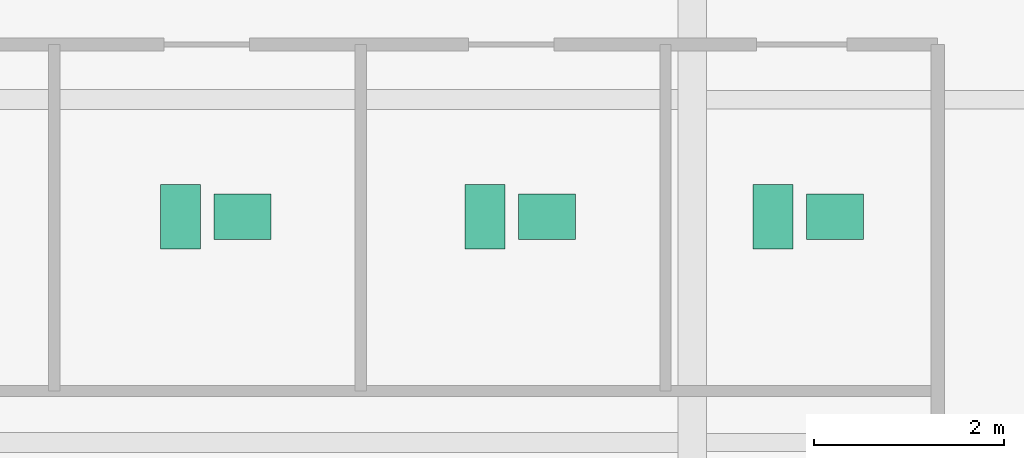
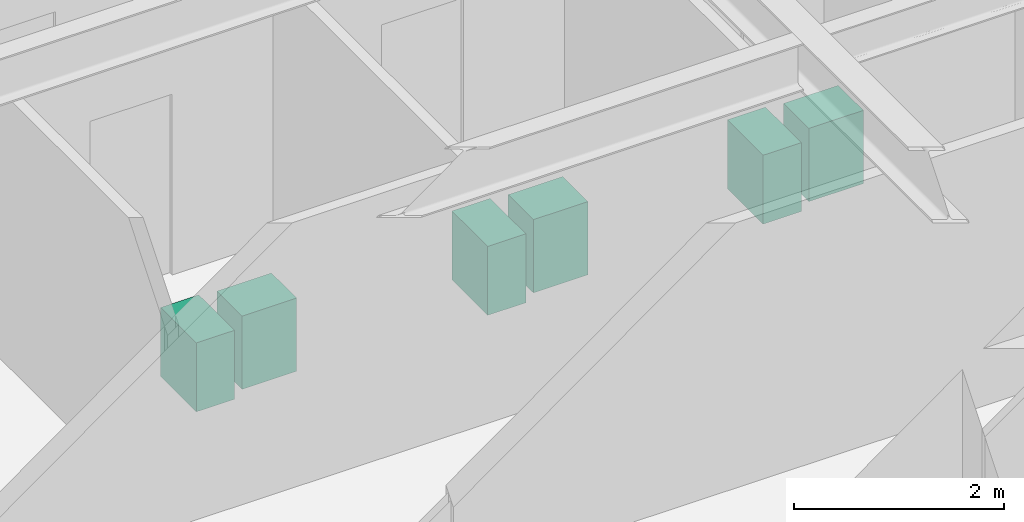
# One storey, part 30 of 30: 6 sanitary terminals.
"""IFC4 building model written with IfcOpenShell, lengths in metres."""

from ifc_helpers import new_model, si_unit, direction, frame, origin, origin_2d, place, context, subcontext, project, spatial, rectangle, extrude, source, transform, mapped, material, type_object, type_shapes, element, save


model = new_model("IFC4")

# Units and contexts
model_context = context("Model", 3, precision=1e-05, world=origin(), true_north=direction((0.0, 1.0)))
body_context = subcontext(model_context, "Body", "Model", "MODEL_VIEW")
ifc_project = project(units=[si_unit("LENGTHUNIT", "METRE"), si_unit("AREAUNIT", "SQUARE_METRE"), si_unit("VOLUMEUNIT", "CUBIC_METRE"), si_unit("PLANEANGLEUNIT", "RADIAN"), si_unit("MASSUNIT", "GRAM", prefix="KILO")], contexts=[model_context])

# Site, building, storey
site_placement = place(None, origin())
site = spatial("IfcSite", under=ifc_project, at=site_placement, CompositionType="ELEMENT")
building_placement = place(site_placement, origin())
building = spatial("IfcBuilding", under=site, at=building_placement, Name="Krantzveldt Concourse Tower", CompositionType="ELEMENT")
storey_placement = place(building_placement, frame((0.0, 0.0, 48.699951171875)))
storey = spatial("IfcBuildingStorey", under=building, at=storey_placement, Name="L11", CompositionType="ELEMENT", Elevation=48.699951171875)

# Sanitary terminals
ifc_material = material(Name="Vitreous china", Category="ceramic")
sanitary_terminal_type_1 = type_object("IfcSanitaryTerminalType", Name="SAN-WC-SUITE", PredefinedType="TOILETPAN", material=ifc_material)
shared_shape_1 = source(origin(), body_context, "Body", "SweptSolid", [
    extrude(rectangle(XDim=0.419921875, YDim=0.679931640625, at=origin_2d()), origin(), (0.0, 0.0, 1.0), 0.800048828125),
])
type_shapes(sanitary_terminal_type_1, [shared_shape_1])
for number, where, z_axis, x_axis, name in (
    (1, (36.02490234375, 32.570068359375, 0.0), (0.0, 0.0, 1.0), (1.0, 0.0, 0.0), "WC-SP-L11-WCM"),
    (2, (39.22509765625, 32.570068359375, 0.0), (0.0, 0.0, 1.0), (1.0, 0.0, 0.0), "WC-SP-L11-WCF"),
    (3, (42.25, 32.570068359375, 0.0), (0.0, 0.0, 1.0), (1.0, 0.0, 0.0), "WC-SP-L11-WCA"),
):
    element("IfcSanitaryTerminal", number, at=place(storey_placement, frame(where, z_axis=z_axis, x_axis=x_axis)), inside=storey, type_object=sanitary_terminal_type_1, Name=name, PredefinedType="TOILETPAN", context=body_context, shape_type="MappedRepresentation", body=[
        mapped(shared_shape_1, transform((0.0, 0.0, 0.0), x_axis=(1.0, 0.0, 0.0), y_axis=(0.0, 1.0, 0.0), z_axis=(0.0, 0.0, 1.0), scale=1.0)),
    ])
sanitary_terminal_type_2 = type_object("IfcSanitaryTerminalType", Name="SAN-BASIN-600", PredefinedType="WASHHANDBASIN", material=ifc_material)
shared_shape_2 = source(origin(), body_context, "Body", "SweptSolid", [
    extrude(rectangle(XDim=0.60009765625, YDim=0.47998046875, at=origin_2d()), origin(), (0.0, 0.0, 1.0), 0.85009765625),
])
type_shapes(sanitary_terminal_type_2, [shared_shape_2])
for number, where, z_axis, x_axis, name in (
    (4, (36.675048828125, 32.570068359375, 0.0048828125), (0.0, 0.0, 1.0), (1.0, 0.0, 0.0), "BSN-SP-L11-WCM"),
    (5, (39.875, 32.570068359375, 0.0048828125), (0.0, 0.0, 1.0), (1.0, 0.0, 0.0), "BSN-SP-L11-WCF"),
    (6, (42.89990234375, 32.570068359375, 0.0048828125), (0.0, 0.0, 1.0), (1.0, 0.0, 0.0), "BSN-SP-L11-WCA"),
):
    element("IfcSanitaryTerminal", number, at=place(storey_placement, frame(where, z_axis=z_axis, x_axis=x_axis)), inside=storey, type_object=sanitary_terminal_type_2, Name=name, PredefinedType="WASHHANDBASIN", context=body_context, shape_type="MappedRepresentation", body=[
        mapped(shared_shape_2, transform((0.0, 0.0, 0.0), x_axis=(1.0, 0.0, 0.0), y_axis=(0.0, 1.0, 0.0), z_axis=(0.0, 0.0, 1.0), scale=1.0)),
    ])

save(model, "model.ifc")
